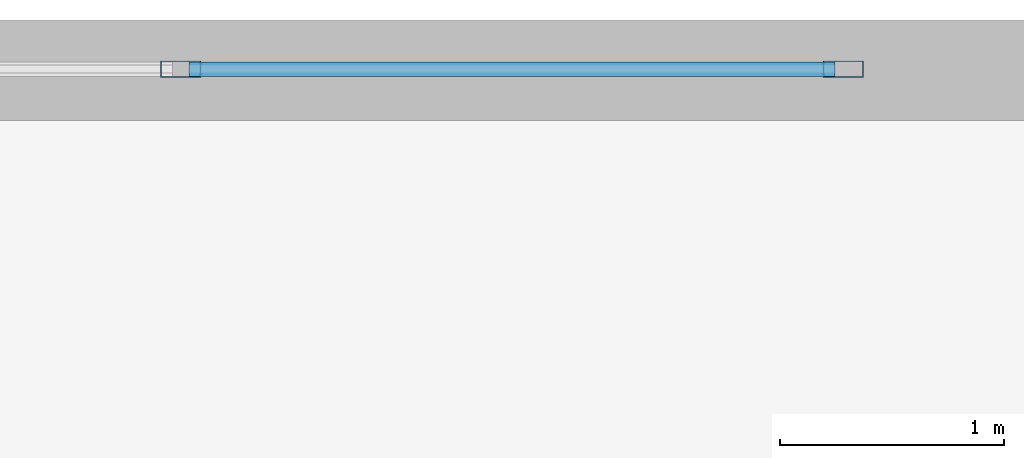
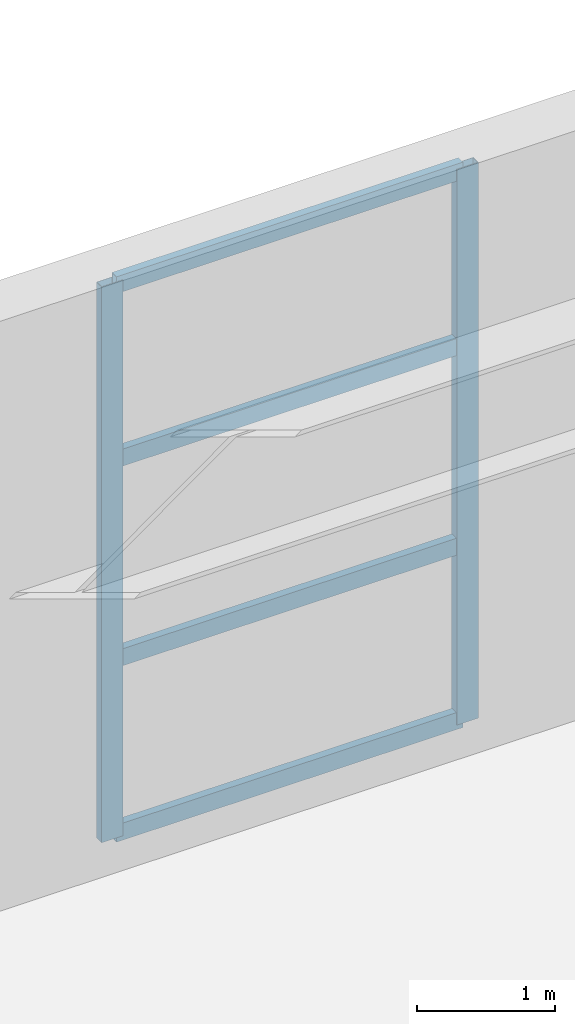
# One storey, part 20 of 34: 6 members, 1 element without a shape of its own.
"""IFC4 building model written with IfcOpenShell, lengths in metres."""

from ifc_helpers import new_model, si_unit, direction, frame, origin, origin_2d, place, context, subcontext, project, spatial, hollow_rectangle, extrude, material, layer, layer_set, material_profile, profile_set, type_object, element, aggregate, save


model = new_model("IFC4")

# Units and contexts
model_context = context("Model", 3, precision=1e-05, world=origin(), true_north=direction((0.0, 1.0)))
body_context = subcontext(model_context, "Body", "Model", "MODEL_VIEW")
ifc_project = project(units=[si_unit("LENGTHUNIT", "METRE"), si_unit("AREAUNIT", "SQUARE_METRE"), si_unit("VOLUMEUNIT", "CUBIC_METRE"), si_unit("PLANEANGLEUNIT", "RADIAN"), si_unit("MASSUNIT", "GRAM", prefix="KILO")], contexts=[model_context])

# Site, building, storey
site_placement = place(None, origin())
site = spatial("IfcSite", under=ifc_project, at=site_placement, CompositionType="ELEMENT")
building_placement = place(site_placement, origin())
building = spatial("IfcBuilding", under=site, at=building_placement, Name="Qiaolan Cultural Towers", CompositionType="ELEMENT")
storey_placement = place(building_placement, frame((0.0, 0.0, 16.5)))
storey = spatial("IfcBuildingStorey", under=building, at=storey_placement, Name="L03", CompositionType="ELEMENT", Elevation=16.5)

# Curtain wall, members
ifc_material_1 = material(Name="Unitized Anodized Aluminium Curtain Wall System", Category="aluminium")
ifc_layer = layer(ifc_material_1, 0.199951171875)
ifc_layer_set = layer_set([ifc_layer], Name="Unitized Anodized Aluminium Curtain Wall System")
curtain_wall_type = type_object("IfcCurtainWallType", Name="CWS-01", PredefinedType="NOTDEFINED", material=ifc_layer_set)
curtain_wall_placement = place(storey_placement, origin())
curtain_wall = element("IfcCurtainWall", 1, at=curtain_wall_placement, inside=storey, type_object=curtain_wall_type, Name="L03 North Atrium Curtain Wall", PredefinedType="NOTDEFINED")
ifc_material_2 = material(Name="Extruded Aluminium 6063-T6", Category="aluminium")
ifc_material_profile_1 = material_profile(ifc_material_2, hollow_rectangle(XDim=0.074951171875, YDim=0.179931640625, WallThickness=0.00390625, at=origin_2d()), Name="CWM-180x75x4")
ifc_profile_set_1 = profile_set([ifc_material_profile_1], Name="Extruded Aluminium 6063-T6")
member_type_1 = type_object("IfcMemberType", Name="CWS-01-MUL", PredefinedType="MULLION", material=ifc_profile_set_1)
member_1_placement = place(storey_placement, frame((59.0, 67.780029296875, 0.14990234375), z_axis=(0.0, 0.0, 1.0), x_axis=(0.0, 1.0, 0.0)))
member_1 = element("IfcMember", 2, at=member_1_placement, type_object=member_type_1, Name="CW-1 mullion 4", PredefinedType="MULLION", context=body_context, shape_type="SweptSolid", body=[
    extrude(hollow_rectangle(XDim=0.074951171875, YDim=0.179931640625, WallThickness=0.00390625, at=origin_2d()), origin(), (0.0, 0.0, 1.0), 4.900146484375),
])
member_2_placement = place(storey_placement, frame((61.96240234375, 67.780029296875, 0.14990234375), z_axis=(0.0, 0.0, 1.0), x_axis=(0.0, 1.0, 0.0)))
member_2 = element("IfcMember", 3, at=member_2_placement, type_object=member_type_1, Name="CW-1 mullion 5", PredefinedType="MULLION", context=body_context, shape_type="SweptSolid", body=[
    extrude(hollow_rectangle(XDim=0.074951171875, YDim=0.179931640625, WallThickness=0.00390625, at=origin_2d()), origin(), (0.0, 0.0, 1.0), 4.900146484375),
])
ifc_material_3 = material(Name="Extruded Aluminium 6063-T6", Category="aluminium")
ifc_material_profile_2 = material_profile(ifc_material_3, hollow_rectangle(XDim=0.06494140625, YDim=0.14990234375, WallThickness=0.00390625, at=origin_2d()), Name="CWT-150x65x4")
ifc_profile_set_2 = profile_set([ifc_material_profile_2], Name="Extruded Aluminium 6063-T6")
member_type_2 = type_object("IfcMemberType", Name="CWS-01-TRN", PredefinedType="USERDEFINED", material=ifc_profile_set_2)
member_3_placement = place(storey_placement, frame((59.03759765625, 67.780029296875, 0.1826171875), z_axis=(1.0, 0.0, 0.0), x_axis=(0.0, 1.0, 0.0)))
member_3 = element("IfcMember", 4, at=member_3_placement, type_object=member_type_2, Name="CW-1 transom 4.1", ObjectType="TRANSOM", PredefinedType="USERDEFINED", context=body_context, shape_type="SweptSolid", body=[
    extrude(hollow_rectangle(XDim=0.06494140625, YDim=0.14990234375, WallThickness=0.00390625, at=origin_2d()), origin(), (0.0, 0.0, 1.0), 2.887451171875),
])
member_4_placement = place(storey_placement, frame((59.03759765625, 67.780029296875, 1.719970703125), z_axis=(1.0, 0.0, 0.0), x_axis=(0.0, 1.0, 0.0)))
member_4 = element("IfcMember", 5, at=member_4_placement, type_object=member_type_2, Name="CW-1 transom 4.2", ObjectType="TRANSOM", PredefinedType="USERDEFINED", context=body_context, shape_type="SweptSolid", body=[
    extrude(hollow_rectangle(XDim=0.06494140625, YDim=0.14990234375, WallThickness=0.00390625, at=origin_2d()), origin(), (0.0, 0.0, 1.0), 2.887451171875),
])
member_5_placement = place(storey_placement, frame((59.03759765625, 67.780029296875, 3.47998046875), z_axis=(1.0, 0.0, 0.0), x_axis=(0.0, 1.0, 0.0)))
member_5 = element("IfcMember", 6, at=member_5_placement, type_object=member_type_2, Name="CW-1 transom 4.3", ObjectType="TRANSOM", PredefinedType="USERDEFINED", context=body_context, shape_type="SweptSolid", body=[
    extrude(hollow_rectangle(XDim=0.06494140625, YDim=0.14990234375, WallThickness=0.00390625, at=origin_2d()), origin(), (0.0, 0.0, 1.0), 2.887451171875),
])
member_6_placement = place(storey_placement, frame((59.03759765625, 67.780029296875, 5.017578125), z_axis=(1.0, 0.0, 0.0), x_axis=(0.0, 1.0, 0.0)))
member_6 = element("IfcMember", 7, at=member_6_placement, type_object=member_type_2, Name="CW-1 transom 4.4", ObjectType="TRANSOM", PredefinedType="USERDEFINED", context=body_context, shape_type="SweptSolid", body=[
    extrude(hollow_rectangle(XDim=0.06494140625, YDim=0.14990234375, WallThickness=0.00390625, at=origin_2d()), origin(), (0.0, 0.0, 1.0), 2.887451171875),
])
aggregate(curtain_wall, [member_1, member_2, member_3, member_4, member_5, member_6])

save(model, "model.ifc")
